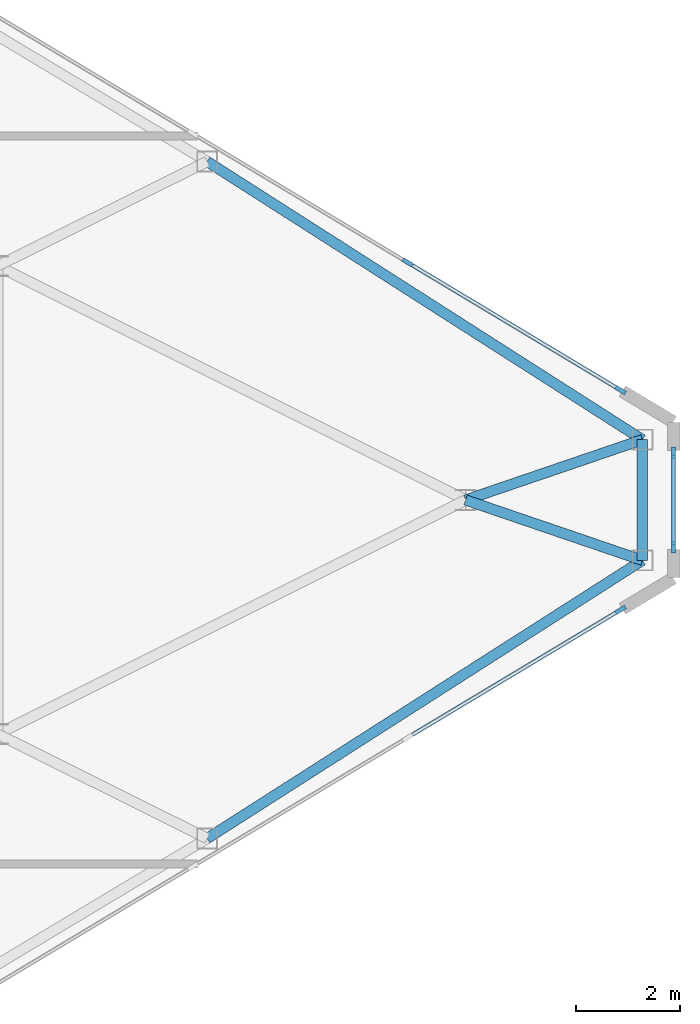
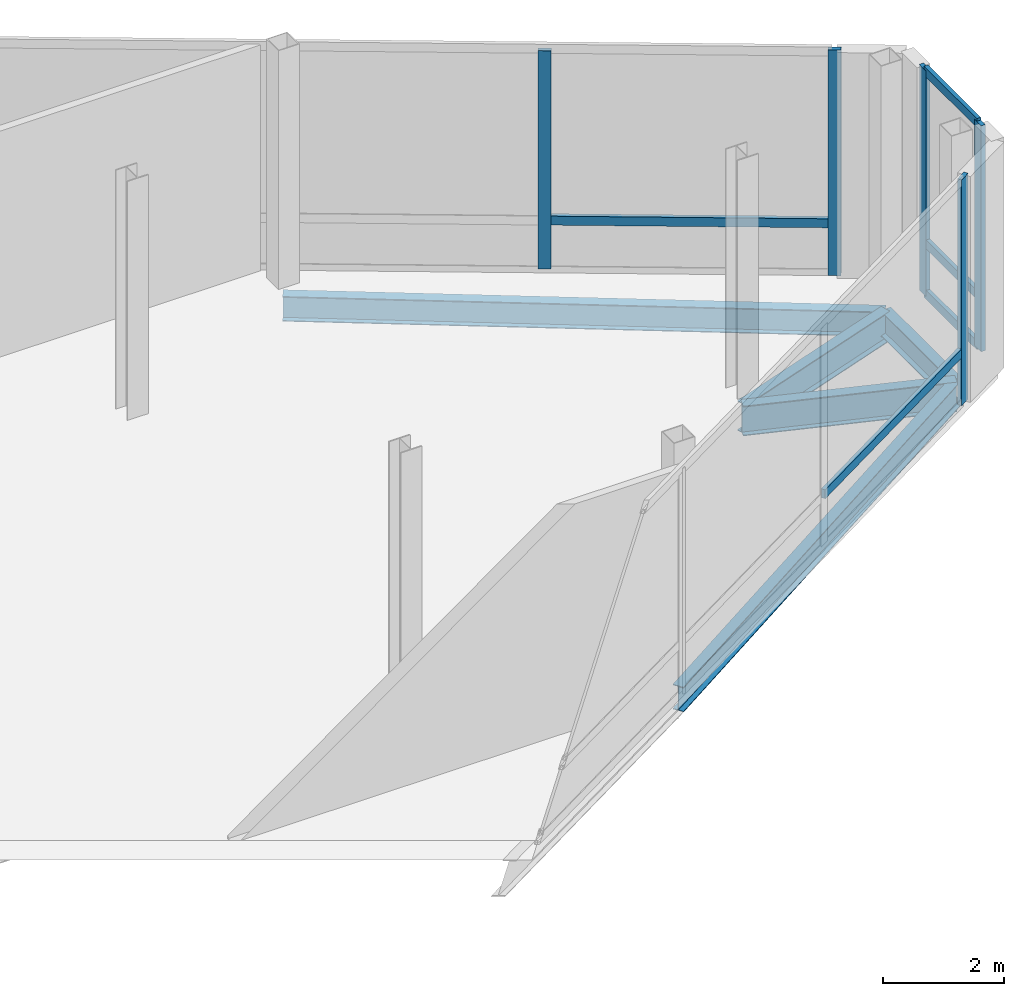
# One storey, part 18 of 29: 10 members, 5 beams, 3 elements without a shape of their own.
"""IFC4 building model written with IfcOpenShell, lengths in metres."""

from ifc_helpers import new_model, si_unit, direction, frame, origin, origin_2d, place, context, subcontext, project, spatial, rectangle, i_section, extrude, source, transform, mapped, material, layer, layer_set, material_profile, profile_set, type_object, type_shapes, element, aggregate, save


model = new_model("IFC4")

# Units and contexts
model_context = context("Model", 3, precision=1e-05, world=origin(), true_north=direction((0.0, 1.0)))
body_context = subcontext(model_context, "Body", "Model", "MODEL_VIEW")
ifc_project = project(units=[si_unit("LENGTHUNIT", "METRE"), si_unit("AREAUNIT", "SQUARE_METRE"), si_unit("VOLUMEUNIT", "CUBIC_METRE"), si_unit("PLANEANGLEUNIT", "RADIAN"), si_unit("MASSUNIT", "GRAM", prefix="KILO")], contexts=[model_context])

# Site, building, storey
site_placement = place(None, origin())
site = spatial("IfcSite", under=ifc_project, at=site_placement, CompositionType="ELEMENT")
building_placement = place(site_placement, origin())
building = spatial("IfcBuilding", under=site, at=building_placement, Name="Seokmaru Belvedere", CompositionType="ELEMENT")
storey_placement = place(building_placement, frame((0.0, 0.0, 269.39990234375)))
storey = spatial("IfcBuildingStorey", under=building, at=storey_placement, Name="L71", CompositionType="ELEMENT", Elevation=269.39990234375)

# Beams
ifc_material_1 = material(Name="Steel SM355 (355 MPa)", Category="steel")
ifc_material_profile_1 = material_profile(ifc_material_1, i_section(OverallWidth=0.199951171875, OverallDepth=0.5, WebThickness=0.010009765625, FlangeThickness=0.01611328125, at=origin_2d()), Name="H-500x200x10x16")
ifc_profile_set_1 = profile_set([ifc_material_profile_1], Name="Steel SM355 (355 MPa)")
beam_type_1 = type_object("IfcBeamType", Name="Perimeter Spandrel Beam H-500", PredefinedType="SPANDREL", material=ifc_profile_set_1)
shared_shape_1 = source(origin(), body_context, "Body", "SweptSolid", [
    extrude(i_section(OverallWidth=0.199951171875, OverallDepth=0.5, WebThickness=0.010009765625, FlangeThickness=0.01611328125, at=origin_2d()), origin(), (0.0, 0.0, 1.0), 9.932861328125),
])
for number, where, z_axis, x_axis, name in (
    (1, (58.530029296875, -6.5087890625, -0.510009765625), (0.842651960357, 0.538458609093, 0.0), (-0.538458609093, 0.842651960357, 0.0), "L71 E Faceted Flank Spandrel S-4"),
    (2, (58.530029296875, 6.5087890625, -0.510009765625), (0.842651960357, -0.538458609093, 0.0), (0.538458609093, 0.842651960357, 0.0), "L71 E Faceted Flank Spandrel N-4"),
):
    element("IfcBeam", number, at=place(storey_placement, frame(where, z_axis=z_axis, x_axis=x_axis)), inside=storey, type_object=beam_type_1, Name=name, PredefinedType="SPANDREL", context=body_context, shape_type="MappedRepresentation", body=[
        mapped(shared_shape_1, transform((0.0, 0.0, 0.0), scale=1.0)),
    ])
shared_shape_2 = source(origin(), body_context, "Body", "SweptSolid", [
    extrude(i_section(OverallWidth=0.199951171875, OverallDepth=0.5, WebThickness=0.010009765625, FlangeThickness=0.01611328125, at=origin_2d()), origin(), (0.0, 0.0, 1.0), 2.32080078125),
])
type_shapes(beam_type_1, [shared_shape_1, shared_shape_2])
beam_placement = place(storey_placement, frame((66.89990234375, -1.160400390625, -0.510009765625), z_axis=(0.0, 1.0, 0.0), x_axis=(-1.0, 0.0, 0.0)))
element("IfcBeam", 3, at=beam_placement, inside=storey, type_object=beam_type_1, Name="L71 E Faceted Apex Spandrel", PredefinedType="SPANDREL", context=body_context, shape_type="MappedRepresentation", body=[
    mapped(shared_shape_2, transform((0.0, 0.0, 0.0), scale=1.0)),
])
ifc_material_profile_2 = material_profile(ifc_material_1, i_section(OverallWidth=0.199951171875, OverallDepth=0.60009765625, WebThickness=0.010986328125, FlangeThickness=0.01708984375, at=origin_2d()), Name="H-600x200x11x17")
ifc_profile_set_2 = profile_set([ifc_material_profile_2], Name="Steel SM355 (355 MPa)")
beam_type_2 = type_object("IfcBeamType", Name="Primary Floor Girder H-600", PredefinedType="BEAM", material=ifc_profile_set_2)
shared_shape_3 = source(origin(), body_context, "Body", "SweptSolid", [
    extrude(i_section(OverallWidth=0.199951171875, OverallDepth=0.60009765625, WebThickness=0.010986328125, FlangeThickness=0.01708984375, at=origin_2d()), origin(), (0.0, 0.0, 1.0), 3.592529296875),
])
type_shapes(beam_type_2, [shared_shape_3])
for number, where, z_axis, x_axis, name in (
    (4, (66.89990234375, -1.160400390625, -0.559814453125), (-0.946395973048, 0.323008764893, 0.0), (-0.323008764893, -0.946395973048, 0.0), "L71 E Apex Radial Floor Girder 1"),
    (5, (66.89990234375, 1.160400390625, -0.559814453125), (-0.946395973048, -0.323008764893, 0.0), (0.323008764893, -0.946395973048, 0.0), "L71 E Apex Radial Floor Girder 2"),
):
    element("IfcBeam", number, at=place(storey_placement, frame(where, z_axis=z_axis, x_axis=x_axis)), inside=storey, type_object=beam_type_2, Name=name, PredefinedType="BEAM", context=body_context, shape_type="MappedRepresentation", body=[
        mapped(shared_shape_3, transform((0.0, 0.0, 0.0), scale=1.0)),
    ])

# Curtain wall, member
ifc_material_2 = material(Name="Bronze Triple Insulating Glass", Category="glass")
ifc_layer = layer(ifc_material_2, 0.219970703125)
ifc_layer_set = layer_set([ifc_layer], Name="Bronze Triple Insulating Glass")
curtain_wall_type = type_object("IfcCurtainWallType", Name="Sky-Gate Bridge Panorama Curtain Wall System CW-6", PredefinedType="NOTDEFINED", material=ifc_layer_set)
curtain_wall_1_placement = place(storey_placement, origin())
curtain_wall_1 = element("IfcCurtainWall", 6, at=curtain_wall_1_placement, inside=storey, type_object=curtain_wall_type, Name="L71 Curtain Wall EF1", PredefinedType="NOTDEFINED")
ifc_material_3 = material(Name="Anodised Bronze Aluminium", Category="aluminium")
ifc_material_profile_3 = material_profile(ifc_material_3, rectangle(XDim=0.080078125, YDim=0.219970703125, at=origin_2d()), Name="CW-M-80x220")
ifc_profile_set_3 = profile_set([ifc_material_profile_3], Name="Anodised Bronze Aluminium")
member_type_1 = type_object("IfcMemberType", Name="Bronze Unitised Mullion 80x220", PredefinedType="MULLION", material=ifc_profile_set_3)
shared_shape_4 = source(origin(), body_context, "Body", "SweptSolid", [
    extrude(rectangle(XDim=0.080078125, YDim=0.219970703125, at=origin_2d()), origin(), (0.0, 0.0, 1.0), 4.5400390625),
])
member_1_placement = place(storey_placement, frame((66.4794921875, -2.1123046875, 0.0), z_axis=(0.0, 0.0, 1.0), x_axis=(-0.514494909364, 0.85749343335, 0.0)))
member_1 = element("IfcMember", 7, at=member_1_placement, type_object=member_type_1, Name="CW:L71:EF1 Mullion 9", PredefinedType="MULLION", context=body_context, shape_type="MappedRepresentation", body=[
    mapped(shared_shape_4, transform((0.0, 0.0, 0.0), scale=1.0)),
])

# Curtain wall, members
curtain_wall_2_placement = place(storey_placement, origin())
curtain_wall_2 = element("IfcCurtainWall", 8, at=curtain_wall_2_placement, inside=storey, type_object=curtain_wall_type, Name="L71 Curtain Wall EF2", PredefinedType="NOTDEFINED")
member_2_placement = place(storey_placement, frame((67.5, -0.909912109375, 0.0), z_axis=(0.0, 0.0, 1.0), x_axis=(-1.0, 0.0, 0.0)))
member_2 = element("IfcMember", 9, at=member_2_placement, type_object=member_type_1, Name="CW:L71:EF2 Mullion 1", PredefinedType="MULLION", context=body_context, shape_type="MappedRepresentation", body=[
    mapped(shared_shape_4, transform((0.0, 0.0, 0.0), scale=1.0)),
])
member_3_placement = place(storey_placement, frame((67.5, 0.909912109375, 0.0), z_axis=(0.0, 0.0, 1.0), x_axis=(-1.0, 0.0, 0.0)))
member_3 = element("IfcMember", 10, at=member_3_placement, type_object=member_type_1, Name="CW:L71:EF2 Mullion 2", PredefinedType="MULLION", context=body_context, shape_type="MappedRepresentation", body=[
    mapped(shared_shape_4, transform((0.0, 0.0, 0.0), scale=1.0)),
])

curtain_wall_3_placement = place(storey_placement, origin())
curtain_wall_3 = element("IfcCurtainWall", 11, at=curtain_wall_3_placement, inside=storey, type_object=curtain_wall_type, Name="L71 Curtain Wall EF3", PredefinedType="NOTDEFINED")
member_4_placement = place(storey_placement, frame((66.4794921875, 2.1123046875, 0.0), z_axis=(0.0, 0.0, 1.0), x_axis=(-0.514494909364, -0.85749343335, 0.0)))
member_4 = element("IfcMember", 12, at=member_4_placement, type_object=member_type_1, Name="CW:L71:EF3 Mullion 1", PredefinedType="MULLION", context=body_context, shape_type="MappedRepresentation", body=[
    mapped(shared_shape_4, transform((0.0, 0.0, 0.0), scale=1.0)),
])
shared_shape_5 = source(origin(), body_context, "Body", "SweptSolid", [
    extrude(rectangle(XDim=0.080078125, YDim=0.219970703125, at=origin_2d()), origin(), (0.0, 0.0, 1.0), 4.389892578125),
])
type_shapes(member_type_1, [shared_shape_4, shared_shape_5])
member_5_placement = place(storey_placement, frame((62.385498046875, 4.56884765625, 0.0751953125), z_axis=(0.0, 0.0, 1.0), x_axis=(-0.514494909364, -0.85749343335, 0.0)))
member_5 = element("IfcMember", 13, at=member_5_placement, type_object=member_type_1, Name="CW:L71:EF3 Mullion 2", PredefinedType="MULLION", context=body_context, shape_type="MappedRepresentation", body=[
    mapped(shared_shape_5, transform((0.0, 0.0, 0.0), scale=1.0)),
])

# Member
ifc_material_profile_4 = material_profile(ifc_material_3, rectangle(XDim=0.074951171875, YDim=0.179931640625, at=origin_2d()), Name="CW-T-75x180")
ifc_profile_set_4 = profile_set([ifc_material_profile_4], Name="Anodised Bronze Aluminium")
member_type_2 = type_object("IfcMemberType", Name="Bronze Unitised Transom 75x180", PredefinedType="USERDEFINED", material=ifc_profile_set_4)
shared_shape_6 = source(origin(), body_context, "Body", "SweptSolid", [
    extrude(rectangle(XDim=0.074951171875, YDim=0.179931640625, at=origin_2d()), origin(), (0.0, 0.0, 1.0), 4.694580078125),
])
member_6_placement = place(storey_placement, frame((62.419677734375, -4.548095703125, 1.050048828125), z_axis=(0.85750210284, 0.514480459906, 0.0), x_axis=(-0.514480459906, 0.85750210284, 0.0)))
member_6 = element("IfcMember", 14, at=member_6_placement, type_object=member_type_2, Name="CW:L71:EF1 Spandrel Transom 8", ObjectType="TRANSOM", PredefinedType="USERDEFINED", context=body_context, shape_type="MappedRepresentation", body=[
    mapped(shared_shape_6, transform((0.0, 0.0, 0.0), scale=1.0)),
])

aggregate(curtain_wall_1, [member_1, member_6])

member_7_placement = place(storey_placement, frame((66.4453125, 2.1328125, 1.050048828125), z_axis=(-0.85750210284, 0.514480459906, 0.0), x_axis=(-0.514480459906, -0.85750210284, 0.0)))
member_7 = element("IfcMember", 15, at=member_7_placement, type_object=member_type_2, Name="CW:L71:EF3 Spandrel Transom 1", ObjectType="TRANSOM", PredefinedType="USERDEFINED", context=body_context, shape_type="MappedRepresentation", body=[
    mapped(shared_shape_6, transform((0.0, 0.0, 0.0), scale=1.0)),
])

aggregate(curtain_wall_3, [member_4, member_5, member_7])

shared_shape_7 = source(origin(), body_context, "Body", "SweptSolid", [
    extrude(rectangle(XDim=0.074951171875, YDim=0.179931640625, at=origin_2d()), origin(), (0.0, 0.0, 1.0), 1.740234375),
])
type_shapes(member_type_2, [shared_shape_6, shared_shape_7])
member_8_placement = place(storey_placement, frame((67.5, -0.8701171875, 0.03759765625), z_axis=(0.0, 1.0, 0.0), x_axis=(-1.0, 0.0, 0.0)))
member_8 = element("IfcMember", 16, at=member_8_placement, type_object=member_type_2, Name="CW:L71:EF2 Continuous Transom 1", ObjectType="TRANSOM", PredefinedType="USERDEFINED", context=body_context, shape_type="MappedRepresentation", body=[
    mapped(shared_shape_7, transform((0.0, 0.0, 0.0), scale=1.0)),
])

member_9_placement = place(storey_placement, frame((67.5, -0.8701171875, 4.502685546875), z_axis=(0.0, 1.0, 0.0), x_axis=(-1.0, 0.0, 0.0)))
member_9 = element("IfcMember", 17, at=member_9_placement, type_object=member_type_2, Name="CW:L71:EF2 Continuous Transom 2", ObjectType="TRANSOM", PredefinedType="USERDEFINED", context=body_context, shape_type="MappedRepresentation", body=[
    mapped(shared_shape_7, transform((0.0, 0.0, 0.0), scale=1.0)),
])

member_10_placement = place(storey_placement, frame((67.5, -0.8701171875, 1.050048828125), z_axis=(0.0, 1.0, 0.0), x_axis=(-1.0, 0.0, 0.0)))
member_10 = element("IfcMember", 18, at=member_10_placement, type_object=member_type_2, Name="CW:L71:EF2 Spandrel Transom 1", ObjectType="TRANSOM", PredefinedType="USERDEFINED", context=body_context, shape_type="MappedRepresentation", body=[
    mapped(shared_shape_7, transform((0.0, 0.0, 0.0), scale=1.0)),
])

aggregate(curtain_wall_2, [member_2, member_3, member_8, member_9, member_10])

save(model, "model.ifc")
